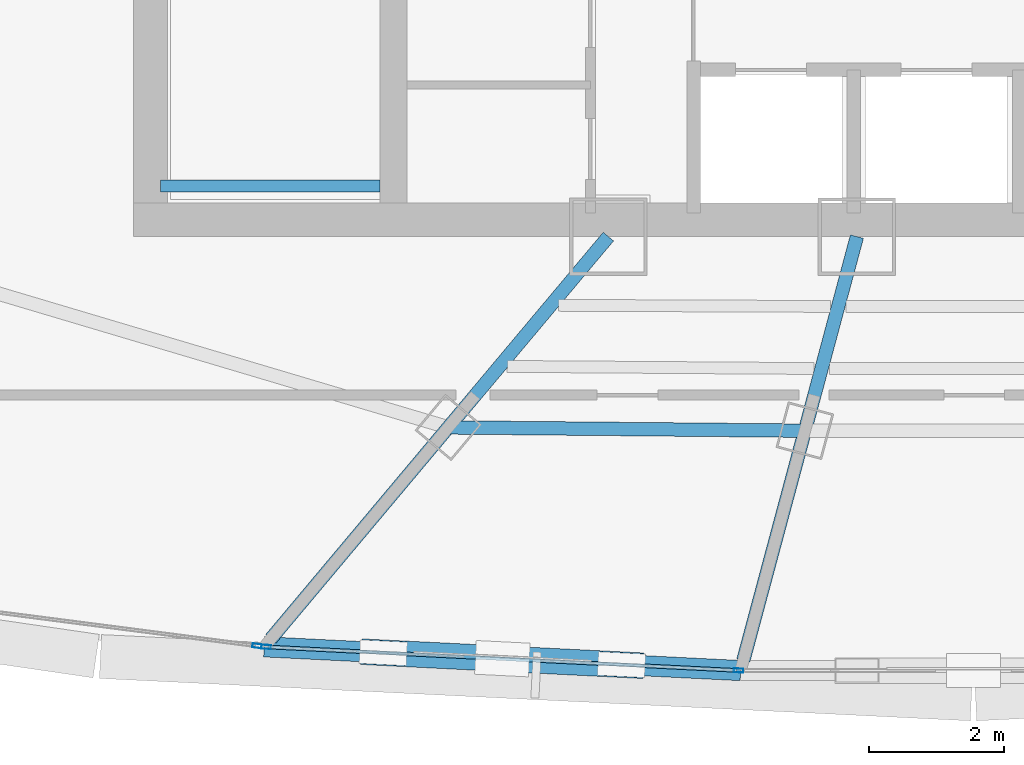
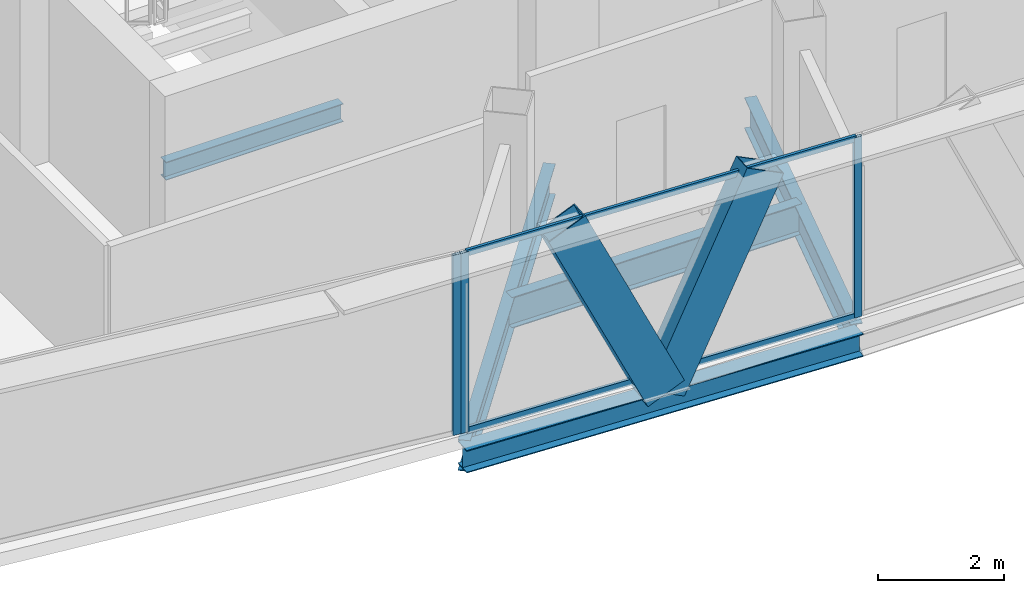
# One storey, part 6 of 33: 7 members, 5 beams, 2 elements without a shape of their own.
"""IFC4 building model written with IfcOpenShell, lengths in metres."""

from ifc_helpers import new_model, si_unit, direction, frame, origin, origin_2d, place, context, subcontext, project, spatial, hollow_rectangle, i_section, extrude, source, transform, mapped, material, layer, layer_set, material_profile, profile_set, type_object, element, aggregate, save


model = new_model("IFC4")

# Units and contexts
model_context = context("Model", 3, precision=1e-05, world=origin(), true_north=direction((0.0, 1.0)))
body_context = subcontext(model_context, "Body", "Model", "MODEL_VIEW")
ifc_project = project(units=[si_unit("LENGTHUNIT", "METRE"), si_unit("AREAUNIT", "SQUARE_METRE"), si_unit("VOLUMEUNIT", "CUBIC_METRE"), si_unit("PLANEANGLEUNIT", "RADIAN"), si_unit("MASSUNIT", "GRAM", prefix="KILO"), si_unit("THERMODYNAMICTEMPERATUREUNIT", "KELVIN"), si_unit("POWERUNIT", "WATT")], contexts=[model_context])

# Site, building, storey
site_placement = place(None, origin())
site = spatial("IfcSite", under=ifc_project, at=site_placement, CompositionType="ELEMENT")
building_placement = place(site_placement, origin())
building = spatial("IfcBuilding", under=site, at=building_placement, Name="Yunzhuo Pagoda Commons", CompositionType="ELEMENT")
storey_placement = place(building_placement, frame((0.0, 0.0, 329.260009765625)))
storey = spatial("IfcBuildingStorey", under=building, at=storey_placement, Name="L82", CompositionType="ELEMENT", Elevation=329.260009765625)

# Beams
ifc_material_1 = material(Name="Structural steel Q355B", Category="steel")
ifc_material_profile_1 = material_profile(ifc_material_1, i_section(OverallWidth=0.175048828125, OverallDepth=0.35009765625, WebThickness=0.007080078125, FlangeThickness=0.010986328125, at=origin_2d()), Name="Structural steel Q355B")
ifc_profile_set_1 = profile_set([ifc_material_profile_1], Name="Structural steel Q355B")
beam_type_1 = type_object("IfcBeamType", Name="B-JS2 Joist HN 350x175x7x11", PredefinedType="JOIST", material=ifc_profile_set_1)
shared_shape_1 = source(origin(), body_context, "Body", "SweptSolid", [
    extrude(i_section(OverallWidth=0.175048828125, OverallDepth=0.35009765625, WebThickness=0.007080078125, FlangeThickness=0.010986328125, at=origin_2d()), origin(), (0.0, 0.0, 1.0), 3.25),
])
beam_1_placement = place(storey_placement, frame((35.949951171875, 28.0, 1.5), z_axis=(1.0, 0.0, 0.0), x_axis=(0.0, 1.0, 0.0)))
element("IfcBeam", 1, at=beam_1_placement, inside=storey, type_object=beam_type_1, Name="L82 ST1 landing support beam 88A", PredefinedType="JOIST", context=body_context, shape_type="MappedRepresentation", body=[
    mapped(shared_shape_1, transform((0.0, 0.0, 0.0), scale=1.0)),
])
ifc_material_profile_2 = material_profile(ifc_material_1, i_section(OverallWidth=0.300048828125, OverallDepth=0.43994140625, WebThickness=0.010986328125, FlangeThickness=0.01806640625, at=origin_2d()), Name="Structural steel Q355B")
ifc_profile_set_2 = profile_set([ifc_material_profile_2], Name="Structural steel Q355B")
beam_type_2 = type_object("IfcBeamType", Name="B-SP2 Beam HM 440x300x11x18", PredefinedType="BEAM", material=ifc_profile_set_2)
shared_shape_2 = source(origin(), body_context, "Body", "SweptSolid", [
    extrude(i_section(OverallWidth=0.300048828125, OverallDepth=0.43994140625, WebThickness=0.010986328125, FlangeThickness=0.01806640625, at=origin_2d()), origin(), (0.0, 0.0, 1.0), 7.0712890625),
])
beam_2_placement = place(storey_placement, frame((37.485595703125, 21.16943359375, -0.47998046875), z_axis=(0.998758186738, -0.049820522105, 0.0), x_axis=(0.049820522105, 0.998758186738, 0.0)))
element("IfcBeam", 2, at=beam_2_placement, inside=storey, type_object=beam_type_2, Name="L82 facade edge spandrel beam F1.1", PredefinedType="BEAM", context=body_context, shape_type="MappedRepresentation", body=[
    mapped(shared_shape_2, transform((0.0, 0.0, 0.0), scale=1.0)),
])
ifc_material_profile_3 = material_profile(ifc_material_1, i_section(OverallWidth=0.199951171875, OverallDepth=0.60009765625, WebThickness=0.010986328125, FlangeThickness=0.01708984375, at=origin_2d()), Name="Structural steel Q355B")
ifc_profile_set_3 = profile_set([ifc_material_profile_3], Name="Structural steel Q355B")
beam_type_3 = type_object("IfcBeamType", Name="B-RG3 Beam HN 600x200x11x17", PredefinedType="BEAM", material=ifc_profile_set_3)
shared_shape_3 = source(origin(), body_context, "Body", "SweptSolid", [
    extrude(i_section(OverallWidth=0.199951171875, OverallDepth=0.60009765625, WebThickness=0.010986328125, FlangeThickness=0.01708984375, at=origin_2d()), origin(), (0.0, 0.0, 1.0), 5.286376953125),
])
beam_3_placement = place(storey_placement, frame((40.214599609375, 24.421630859375, -0.56005859375), z_axis=(0.999957341442, -0.009236627946, 0.0), x_axis=(0.009236627946, 0.999957341442, 0.0)))
element("IfcBeam", 3, at=beam_3_placement, inside=storey, type_object=beam_type_3, Name="L82 column-ring beam 1", PredefinedType="BEAM", context=body_context, shape_type="MappedRepresentation", body=[
    mapped(shared_shape_3, transform((0.0, 0.0, 0.0), scale=1.0)),
])
shared_shape_4 = source(origin(), body_context, "Body", "SweptSolid", [
    extrude(i_section(OverallWidth=0.199951171875, OverallDepth=0.60009765625, WebThickness=0.010986328125, FlangeThickness=0.01708984375, at=origin_2d()), origin(), (0.0, 0.0, 1.0), 7.78271484375),
])
beam_4_placement = place(storey_placement, frame((37.585205078125, 21.2880859375, -0.56005859375), z_axis=(0.642791052162, 0.766041554526, 0.0), x_axis=(-0.766041554526, 0.642791052162, 0.0)))
element("IfcBeam", 4, at=beam_4_placement, inside=storey, type_object=beam_type_3, Name="L82 radial floor girder F1C1", PredefinedType="BEAM", context=body_context, shape_type="MappedRepresentation", body=[
    mapped(shared_shape_4, transform((0.0, 0.0, 0.0), scale=1.0)),
])
shared_shape_5 = source(origin(), body_context, "Body", "SweptSolid", [
    extrude(i_section(OverallWidth=0.199951171875, OverallDepth=0.60009765625, WebThickness=0.010986328125, FlangeThickness=0.01708984375, at=origin_2d()), origin(), (0.0, 0.0, 1.0), 6.5048828125),
])
beam_5_placement = place(storey_placement, frame((44.588134765625, 20.966796875, -0.56005859375), z_axis=(0.258856148938, 0.965915883583, 0.0), x_axis=(-0.965915883583, 0.258856148938, 0.0)))
element("IfcBeam", 5, at=beam_5_placement, inside=storey, type_object=beam_type_3, Name="L82 radial floor girder F1C2", PredefinedType="BEAM", context=body_context, shape_type="MappedRepresentation", body=[
    mapped(shared_shape_5, transform((0.0, 0.0, 0.0), scale=1.0)),
])

# Members
ifc_material_profile_4 = material_profile(ifc_material_1, hollow_rectangle(XDim=0.3798828125, YDim=0.719970703125, WallThickness=0.02001953125, at=origin_2d()), Name="Structural steel Q355B")
ifc_profile_set_4 = profile_set([ifc_material_profile_4], Name="Structural steel Q355B")
member_type_1 = type_object("IfcMemberType", Name="M-DL3 Brace BOX 720x380x20", PredefinedType="BRACE", material=ifc_profile_set_4)
shared_shape_6 = source(origin(), body_context, "Body", "SweptSolid", [
    extrude(hollow_rectangle(XDim=0.3798828125, YDim=0.719970703125, WallThickness=0.02001953125, at=origin_2d()), origin(), (0.0, 0.0, 1.0), 4.145751953125),
])
for number, where, z_axis, x_axis, name in (
    (6, (41.016845703125, 20.9931640625, -0.260009765625), (-0.425882304074, 0.021258782048, 0.904528787415), (-0.049854961977, -0.998756468197, 0.0), "L82 facade diamond brace F1.1L"),
    (7, (41.016845703125, 20.9931640625, -0.260009765625), (0.425882304074, -0.021258782048, 0.904528787415), (0.049854961977, 0.998756468197, 0.0), "L82 facade diamond brace F1.1R"),
):
    element("IfcMember", number, at=place(storey_placement, frame(where, z_axis=z_axis, x_axis=x_axis)), inside=storey, type_object=member_type_1, Name=name, PredefinedType="BRACE", context=body_context, shape_type="MappedRepresentation", body=[
        mapped(shared_shape_6, transform((0.0, 0.0, 0.0), scale=1.0)),
    ])

# Curtain wall, members
ifc_material_2 = material(Name="Anodized aluminium 6063-T6", Category="aluminium")
ifc_layer = layer(ifc_material_2, 0.139892578125)
ifc_layer_set = layer_set([ifc_layer], Name="Anodized aluminium 6063-T6")
curtain_wall_type = type_object("IfcCurtainWallType", Name="CW-HI High-Zone Ribbon Curtain Wall", PredefinedType="NOTDEFINED", material=ifc_layer_set)
curtain_wall_1_placement = place(storey_placement, origin())
curtain_wall_1 = element("IfcCurtainWall", 8, at=curtain_wall_1_placement, inside=storey, type_object=curtain_wall_type, Name="L82 curtain wall CW-L82-F1B2", PredefinedType="NOTDEFINED")
ifc_material_profile_5 = material_profile(ifc_material_2, hollow_rectangle(XDim=0.06005859375, YDim=0.139892578125, WallThickness=0.00341796875, at=origin_2d()), Name="Anodized aluminium 6063-T6")
ifc_profile_set_5 = profile_set([ifc_material_profile_5], Name="Anodized aluminium 6063-T6")
member_type_2 = type_object("IfcMemberType", Name="CW-HI-M Mullion RHS 140x60x3.5", PredefinedType="MULLION", material=ifc_profile_set_5)
shared_shape_7 = source(origin(), body_context, "Body", "SweptSolid", [
    extrude(hollow_rectangle(XDim=0.06005859375, YDim=0.139892578125, WallThickness=0.00341796875, at=origin_2d()), origin(), (0.0, 0.0, 1.0), 3.489990234375),
])
member_1_placement = place(storey_placement, frame((37.515625, 21.16796875, 0.0), z_axis=(0.0, 0.0, 1.0), x_axis=(0.049850155702, 0.998756708101, 0.0)))
member_1 = element("IfcMember", 9, at=member_1_placement, type_object=member_type_2, Name="CW mullion 1", PredefinedType="MULLION", context=body_context, shape_type="MappedRepresentation", body=[
    mapped(shared_shape_7, transform((0.0, 0.0, 0.0), scale=1.0)),
])
member_2_placement = place(storey_placement, frame((44.51806640625, 20.818359375, 0.0), z_axis=(0.0, 0.0, 1.0), x_axis=(0.049850155702, 0.998756708101, 0.0)))
member_2 = element("IfcMember", 10, at=member_2_placement, type_object=member_type_2, Name="CW mullion 2", PredefinedType="MULLION", context=body_context, shape_type="MappedRepresentation", body=[
    mapped(shared_shape_7, transform((0.0, 0.0, 0.0), scale=1.0)),
])

# Curtain wall, member
curtain_wall_2_placement = place(storey_placement, origin())
curtain_wall_2 = element("IfcCurtainWall", 11, at=curtain_wall_2_placement, inside=storey, type_object=curtain_wall_type, Name="L82 curtain wall CW-L82-F1B1", PredefinedType="NOTDEFINED")
member_3_placement = place(storey_placement, frame((37.38134765625, 21.182861328125, 0.0), z_axis=(0.0, 0.0, 1.0), x_axis=(0.128276018031, 0.991738505453, 0.0)))
member_3 = element("IfcMember", 12, at=member_3_placement, type_object=member_type_2, Name="CW mullion 2", PredefinedType="MULLION", context=body_context, shape_type="MappedRepresentation", body=[
    mapped(shared_shape_7, transform((0.0, 0.0, 0.0), scale=1.0)),
])
aggregate(curtain_wall_2, [member_3])

# Member
ifc_material_profile_6 = material_profile(ifc_material_2, hollow_rectangle(XDim=0.054931640625, YDim=0.1201171875, WallThickness=0.00341796875, at=origin_2d()), Name="Anodized aluminium 6063-T6")
ifc_profile_set_6 = profile_set([ifc_material_profile_6], Name="Anodized aluminium 6063-T6")
member_type_3 = type_object("IfcMemberType", Name="CW-HI-T Transom RHS 120x55x3.5", PredefinedType="USERDEFINED", material=ifc_profile_set_6)
shared_shape_8 = source(origin(), body_context, "Body", "SweptSolid", [
    extrude(hollow_rectangle(XDim=0.054931640625, YDim=0.1201171875, WallThickness=0.00341796875, at=origin_2d()), origin(), (0.0, 0.0, 1.0), 6.951171875),
])
member_4_placement = place(storey_placement, frame((37.54541015625, 21.16650390625, 0.027587890625), z_axis=(0.99875557743, -0.04987280374, 0.0), x_axis=(0.04987280374, 0.99875557743, 0.0)))
member_4 = element("IfcMember", 13, at=member_4_placement, type_object=member_type_3, Name="CW transom 1.1", ObjectType="TRANSOM", PredefinedType="USERDEFINED", context=body_context, shape_type="MappedRepresentation", body=[
    mapped(shared_shape_8, transform((0.0, 0.0, 0.0), scale=1.0)),
])

member_5_placement = place(storey_placement, frame((37.54541015625, 21.16650390625, 3.46240234375), z_axis=(0.99875557743, -0.04987280374, 0.0), x_axis=(0.04987280374, 0.99875557743, 0.0)))
member_5 = element("IfcMember", 14, at=member_5_placement, type_object=member_type_3, Name="CW transom 1.2", ObjectType="TRANSOM", PredefinedType="USERDEFINED", context=body_context, shape_type="MappedRepresentation", body=[
    mapped(shared_shape_8, transform((0.0, 0.0, 0.0), scale=1.0)),
])

aggregate(curtain_wall_1, [member_1, member_2, member_4, member_5])

save(model, "model.ifc")
